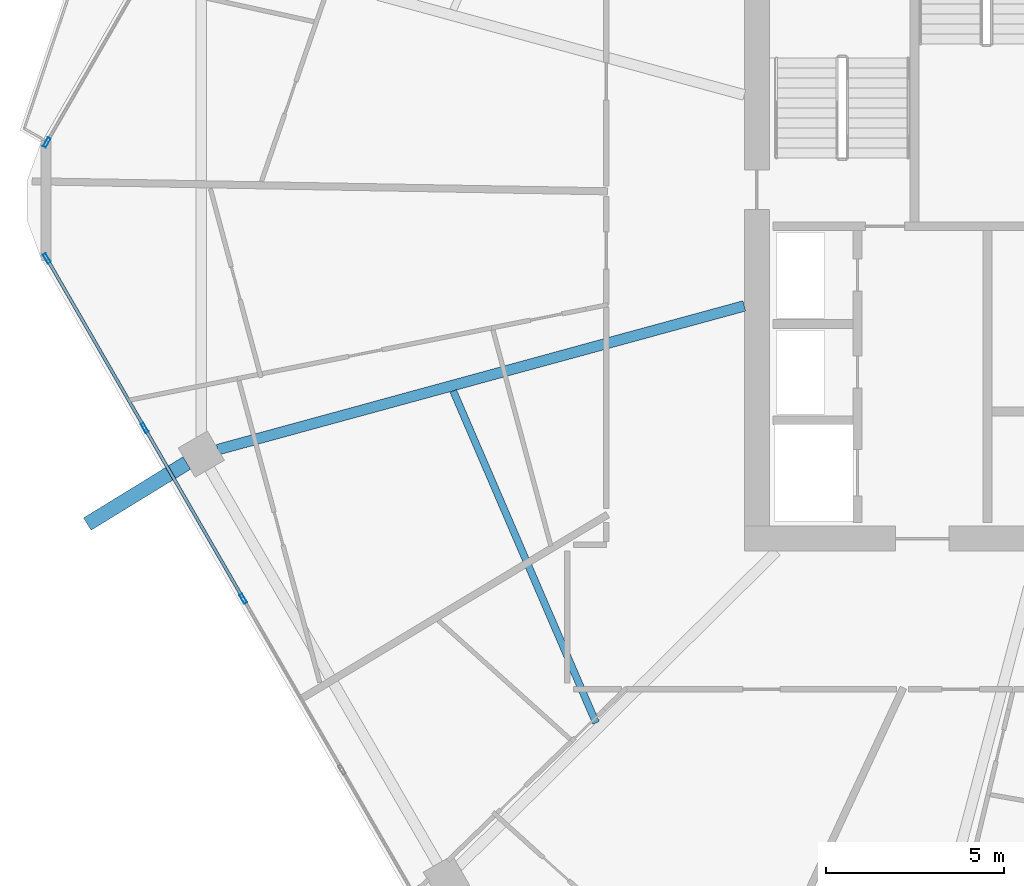
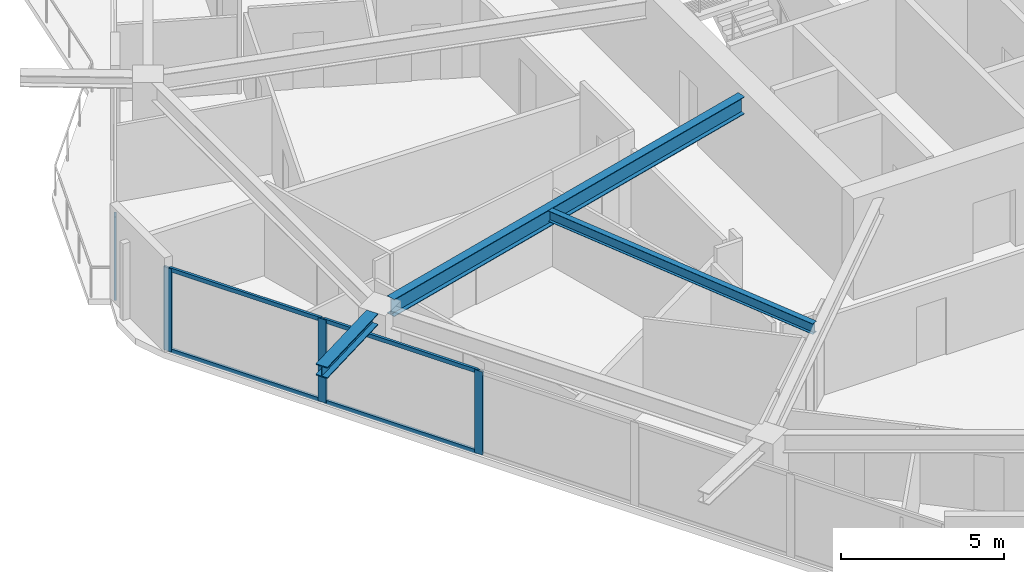
# One storey, part 5 of 26: 8 members, 3 beams, 2 elements without a shape of their own.
"""IFC4 building model written with IfcOpenShell, lengths in metres."""

from ifc_helpers import new_model, si_unit, direction, frame, origin, origin_2d, place, context, subcontext, project, spatial, hollow_rectangle, i_section, extrude, material, material_profile, profile_set, type_object, element, aggregate, save


model = new_model("IFC4")

# Units and contexts
model_context = context("Model", 3, precision=1e-05, world=origin(), true_north=direction((0.0, 1.0)))
body_context = subcontext(model_context, "Body", "Model", "MODEL_VIEW")
ifc_project = project(units=[si_unit("LENGTHUNIT", "METRE"), si_unit("AREAUNIT", "SQUARE_METRE"), si_unit("VOLUMEUNIT", "CUBIC_METRE"), si_unit("PLANEANGLEUNIT", "RADIAN"), si_unit("MASSUNIT", "GRAM", prefix="KILO")], contexts=[model_context])

# Site, building, storey
site_placement = place(None, origin())
site = spatial("IfcSite", under=ifc_project, at=site_placement, CompositionType="ELEMENT")
building_placement = place(site_placement, origin())
building = spatial("IfcBuilding", under=site, at=building_placement, Name="Zuhravey Tower", CompositionType="ELEMENT")
storey_placement = place(building_placement, frame((0.0, 0.0, 211.199951171875)))
storey = spatial("IfcBuildingStorey", under=building, at=storey_placement, Name="L53", CompositionType="ELEMENT", Elevation=211.199951171875)

# Curtain wall, members
ifc_material_1 = material(Name="Thermally broken anodised aluminium", Category="aluminium")
curtain_wall_type = type_object("IfcCurtainWallType", Name="Zone 1-2 Residential Curtain Wall CW3", PredefinedType="NOTDEFINED", material=ifc_material_1)
curtain_wall_1_placement = place(storey_placement, origin())
curtain_wall_1 = element("IfcCurtainWall", 1, at=curtain_wall_1_placement, inside=storey, type_object=curtain_wall_type, Name="L53 CW3 CW-L53-F4-1", PredefinedType="NOTDEFINED")
ifc_material_2 = material(Name="Anodised aluminium", Category="aluminium")
ifc_material_profile_1 = material_profile(ifc_material_2, hollow_rectangle(XDim=0.090087890625, YDim=0.284912109375, WallThickness=0.0048828125, at=origin_2d()), Name="ALU-RHS-90x285x5")
ifc_profile_set_1 = profile_set([ifc_material_profile_1], Name="Anodised aluminium")
member_type_1 = type_object("IfcMemberType", Name="Curtain-Wall Mullion 90x180", PredefinedType="MULLION", material=ifc_profile_set_1)
member_1_placement = place(storey_placement, frame((11.07275390625, 20.809326171875, 0.0), z_axis=(0.0, 0.0, 1.0), x_axis=(-0.866025138215, -0.500000459979, 0.0)))
member_1 = element("IfcMember", 2, at=member_1_placement, type_object=member_type_1, Name="CW3 mullion 4", PredefinedType="MULLION", context=body_context, shape_type="SweptSolid", body=[
    extrude(hollow_rectangle(XDim=0.090087890625, YDim=0.284912109375, WallThickness=0.0048828125, at=origin_2d()), origin(), (0.0, 0.0, 1.0), 3.1220703125),
])
member_2_placement = place(storey_placement, frame((8.300537109375, 25.61083984375, 0.0), z_axis=(0.0, 0.0, 1.0), x_axis=(-0.866025138215, -0.500000459979, 0.0)))
member_2 = element("IfcMember", 3, at=member_2_placement, type_object=member_type_1, Name="CW3 mullion 5", PredefinedType="MULLION", context=body_context, shape_type="SweptSolid", body=[
    extrude(hollow_rectangle(XDim=0.090087890625, YDim=0.284912109375, WallThickness=0.0048828125, at=origin_2d()), origin(), (0.0, 0.0, 1.0), 3.1220703125),
])
member_3_placement = place(storey_placement, frame((5.55078125, 30.37353515625, 0.0), z_axis=(0.0, 0.0, 1.0), x_axis=(-0.866025138215, -0.500000459979, 0.0)))
member_3 = element("IfcMember", 4, at=member_3_placement, type_object=member_type_1, Name="CW3 mullion 6", PredefinedType="MULLION", context=body_context, shape_type="SweptSolid", body=[
    extrude(hollow_rectangle(XDim=0.090087890625, YDim=0.284912109375, WallThickness=0.0048828125, at=origin_2d()), origin(), (0.0, 0.0, 1.0), 3.1220703125),
])

# Curtain wall, member
curtain_wall_2_placement = place(storey_placement, origin())
curtain_wall_2 = element("IfcCurtainWall", 5, at=curtain_wall_2_placement, inside=storey, type_object=curtain_wall_type, Name="L53 CW3 CW-L53-F3-1", PredefinedType="NOTDEFINED")
member_4_placement = place(storey_placement, frame((5.55078125, 33.62646484375, 0.0), z_axis=(0.0, 0.0, 1.0), x_axis=(-0.866022342618, 0.500005302059, 0.0)))
member_4 = element("IfcMember", 6, at=member_4_placement, type_object=member_type_1, Name="CW3 mullion 1", PredefinedType="MULLION", context=body_context, shape_type="SweptSolid", body=[
    extrude(hollow_rectangle(XDim=0.090087890625, YDim=0.284912109375, WallThickness=0.0048828125, at=origin_2d()), origin(), (0.0, 0.0, 1.0), 3.1220703125),
])
aggregate(curtain_wall_2, [member_4])

# Member
ifc_material_profile_2 = material_profile(ifc_material_2, hollow_rectangle(XDim=0.090087890625, YDim=0.14990234375, WallThickness=0.0048828125, at=origin_2d()), Name="ALU-RHS-90x150x5")
ifc_profile_set_2 = profile_set([ifc_material_profile_2], Name="Anodised aluminium")
member_type_2 = type_object("IfcMemberType", Name="Curtain-Wall Transom 90x150", PredefinedType="USERDEFINED", material=ifc_profile_set_2)
member_5_placement = place(storey_placement, frame((11.050048828125, 20.84814453125, 0.045166015625), z_axis=(-0.49996138257, 0.86604769842, 0.0), x_axis=(-0.86604769842, -0.49996138257, 0.0)))
member_5 = element("IfcMember", 7, at=member_5_placement, type_object=member_type_2, Name="CW3 transom 4.1", ObjectType="TRANSOM", PredefinedType="USERDEFINED", context=body_context, shape_type="SweptSolid", body=[
    extrude(hollow_rectangle(XDim=0.090087890625, YDim=0.14990234375, WallThickness=0.0048828125, at=origin_2d()), origin(), (0.0, 0.0, 1.0), 5.45458984375),
])

member_6_placement = place(storey_placement, frame((11.050048828125, 20.84814453125, 3.0771484375), z_axis=(-0.49996138257, 0.86604769842, 0.0), x_axis=(-0.86604769842, -0.49996138257, 0.0)))
member_6 = element("IfcMember", 8, at=member_6_placement, type_object=member_type_2, Name="CW3 transom 4.2", ObjectType="TRANSOM", PredefinedType="USERDEFINED", context=body_context, shape_type="SweptSolid", body=[
    extrude(hollow_rectangle(XDim=0.090087890625, YDim=0.14990234375, WallThickness=0.0048828125, at=origin_2d()), origin(), (0.0, 0.0, 1.0), 5.45458984375),
])

member_7_placement = place(storey_placement, frame((8.27783203125, 25.64990234375, 0.045166015625), z_axis=(-0.499993332629, 0.866029253159, 0.0), x_axis=(-0.866029253159, -0.499993332629, 0.0)))
member_7 = element("IfcMember", 9, at=member_7_placement, type_object=member_type_2, Name="CW3 transom 5.1", ObjectType="TRANSOM", PredefinedType="USERDEFINED", context=body_context, shape_type="SweptSolid", body=[
    extrude(hollow_rectangle(XDim=0.090087890625, YDim=0.14990234375, WallThickness=0.0048828125, at=origin_2d()), origin(), (0.0, 0.0, 1.0), 5.4091796875),
])

member_8_placement = place(storey_placement, frame((8.27783203125, 25.64990234375, 3.0771484375), z_axis=(-0.499993332629, 0.866029253159, 0.0), x_axis=(-0.866029253159, -0.499993332629, 0.0)))
member_8 = element("IfcMember", 10, at=member_8_placement, type_object=member_type_2, Name="CW3 transom 5.2", ObjectType="TRANSOM", PredefinedType="USERDEFINED", context=body_context, shape_type="SweptSolid", body=[
    extrude(hollow_rectangle(XDim=0.090087890625, YDim=0.14990234375, WallThickness=0.0048828125, at=origin_2d()), origin(), (0.0, 0.0, 1.0), 5.4091796875),
])

aggregate(curtain_wall_1, [member_1, member_2, member_3, member_5, member_6, member_7, member_8])

# Beams
ifc_material_3 = material(Name="Steel SM460", Category="steel")
ifc_material_profile_3 = material_profile(ifc_material_3, i_section(OverallWidth=0.406982421875, OverallDepth=0.427978515625, WebThickness=0.02001953125, FlangeThickness=0.034912109375, at=origin_2d()), Name="H-428x407x20x35")
ifc_profile_set_3 = profile_set([ifc_material_profile_3], Name="Steel SM460")
beam_type_1 = type_object("IfcBeamType", Name="Exoskeleton Node Tie Beam H428x407", PredefinedType="BEAM", material=ifc_profile_set_3)
beam_1_placement = place(storey_placement, frame((9.48388671875, 24.622802734375, 3.3359375), z_axis=(-0.852309897732, -0.52303712892, 0.0), x_axis=(0.52303712892, -0.852309897732, 0.0)))
element("IfcBeam", 11, at=beam_1_placement, inside=storey, type_object=beam_type_1, Name="L53 Exoskeleton Node Tie NT1-07", PredefinedType="BEAM", context=body_context, shape_type="SweptSolid", body=[
    extrude(i_section(OverallWidth=0.406982421875, OverallDepth=0.427978515625, WebThickness=0.02001953125, FlangeThickness=0.034912109375, at=origin_2d()), origin(), (0.0, 0.0, 1.0), 3.27734375),
])
ifc_material_4 = material(Name="Steel SM355", Category="steel")
ifc_material_profile_4 = material_profile(ifc_material_4, i_section(OverallWidth=0.300048828125, OverallDepth=0.64990234375, WebThickness=0.012939453125, FlangeThickness=0.02197265625, at=origin_2d()), Name="H-650x300x13x22")
ifc_profile_set_4 = profile_set([ifc_material_profile_4], Name="Steel SM355")
beam_type_2 = type_object("IfcBeamType", Name="Radial Primary Girder H650x300", PredefinedType="BEAM", material=ifc_profile_set_4)
beam_2_placement = place(storey_placement, frame((25.14697265625, 29.03759765625, 3.22509765625), z_axis=(-0.964701703464, -0.263345065139, 0.0), x_axis=(0.263345065139, -0.964701703464, 0.0)))
element("IfcBeam", 12, at=beam_2_placement, inside=storey, type_object=beam_type_2, Name="L53 RG2 BM-L53-RAD-07", PredefinedType="BEAM", context=body_context, shape_type="SweptSolid", body=[
    extrude(i_section(OverallWidth=0.300048828125, OverallDepth=0.64990234375, WebThickness=0.012939453125, FlangeThickness=0.02197265625, at=origin_2d()), origin(), (0.0, 0.0, 1.0), 15.334716796875),
])
ifc_material_profile_5 = material_profile(ifc_material_4, i_section(OverallWidth=0.199951171875, OverallDepth=0.39990234375, WebThickness=0.008056640625, FlangeThickness=0.012939453125, at=origin_2d()), Name="H-400x200x8x13")
ifc_profile_set_5 = profile_set([ifc_material_profile_5], Name="Steel SM355")
beam_type_3 = type_object("IfcBeamType", Name="Secondary Floor Joist H400x200", PredefinedType="JOIST", material=ifc_profile_set_5)
beam_3_placement = place(storey_placement, frame((16.970458984375, 26.6474609375, 3.35009765625), z_axis=(0.395265853487, -0.918566766799, 0.0), x_axis=(0.918566766799, 0.395265853487, 0.0)))
element("IfcBeam", 13, at=beam_3_placement, inside=storey, type_object=beam_type_3, Name="L53 SJ2 BM-L53-SJ-07-1", PredefinedType="JOIST", context=body_context, shape_type="SweptSolid", body=[
    extrude(i_section(OverallWidth=0.199951171875, OverallDepth=0.39990234375, WebThickness=0.008056640625, FlangeThickness=0.012939453125, at=origin_2d()), origin(), (0.0, 0.0, 1.0), 10.150146484375),
])

save(model, "model.ifc")
